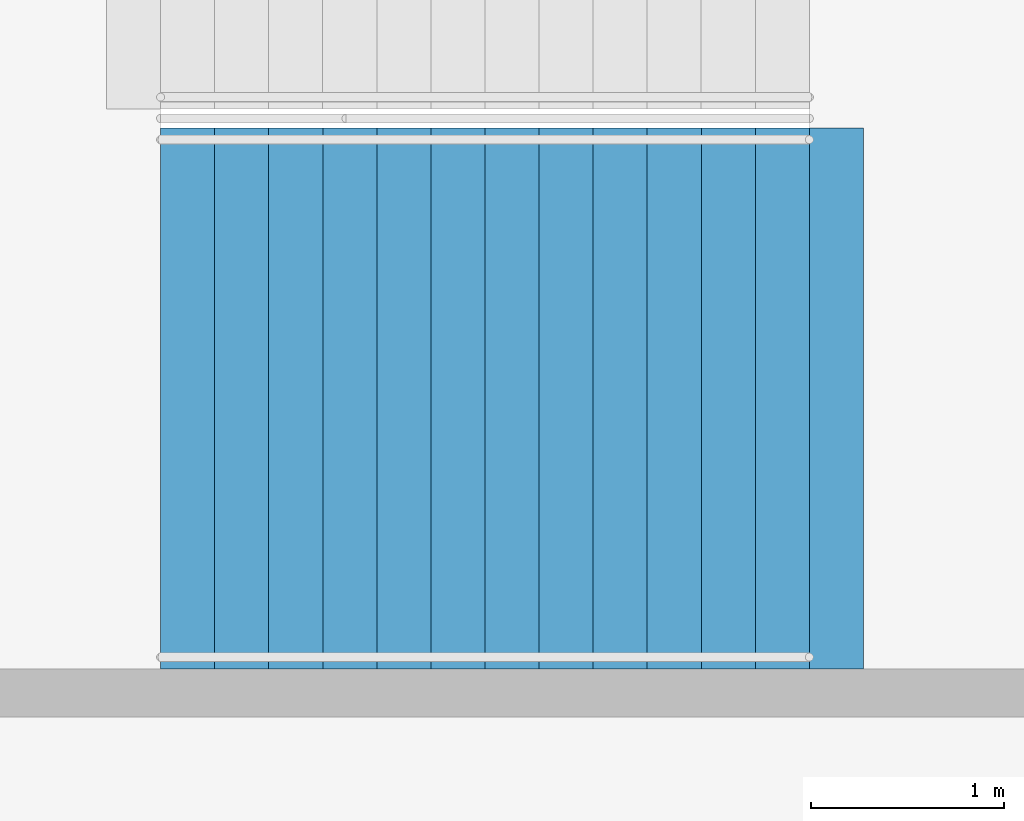
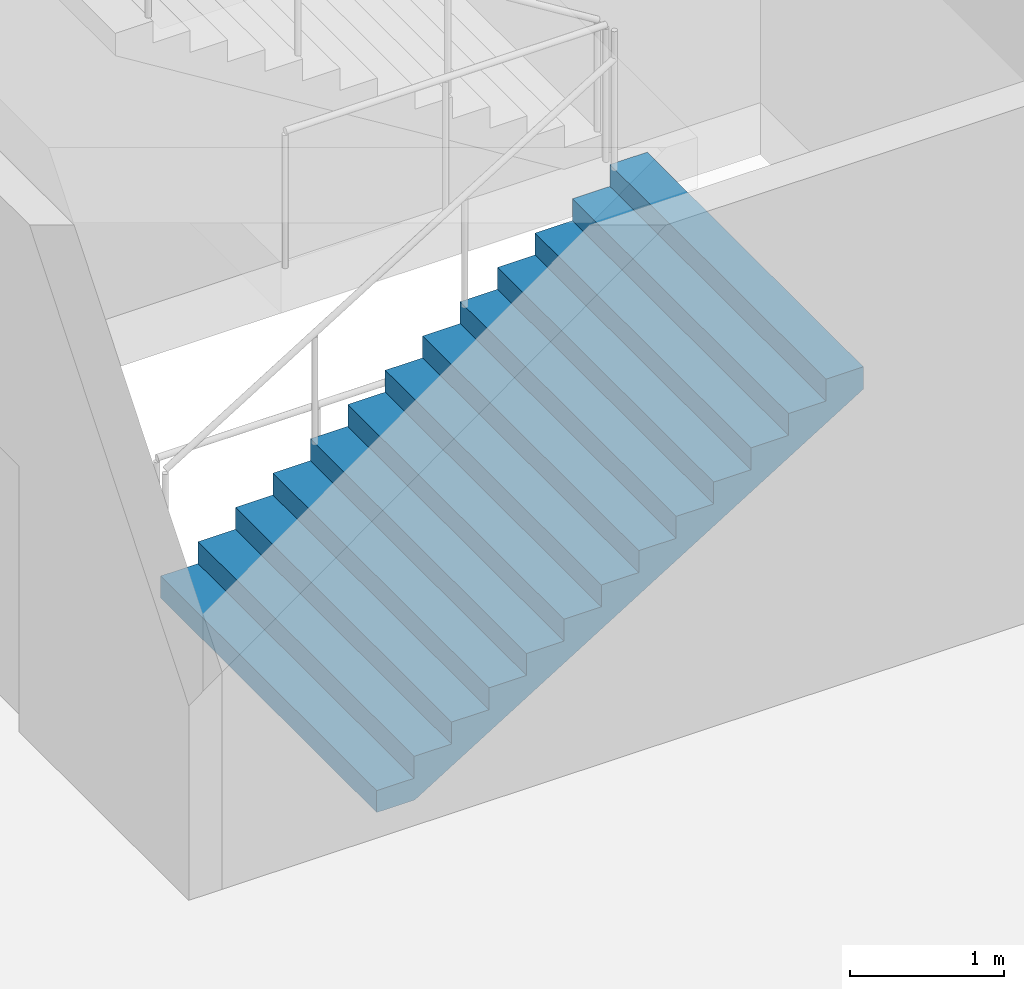
# One storey, part 146 of 199: 1 stair flight, 1 element without a shape of its own.
"""IFC4 building model written with IfcOpenShell, lengths in metres."""

from ifc_helpers import new_model, si_unit, direction, frame, origin, place, context, subcontext, project, spatial, faceted_brep, material, type_object, element, aggregate, save


model = new_model("IFC4")

# Units and contexts
model_context = context("Model", 3, precision=1e-05, world=origin(), true_north=direction((0.0, 1.0)))
body_context = subcontext(model_context, "Body", "Model", "MODEL_VIEW")
ifc_project = project(units=[si_unit("LENGTHUNIT", "METRE"), si_unit("AREAUNIT", "SQUARE_METRE"), si_unit("VOLUMEUNIT", "CUBIC_METRE"), si_unit("PLANEANGLEUNIT", "RADIAN"), si_unit("MASSUNIT", "GRAM", prefix="KILO")], contexts=[model_context])

# Site, building, storey
site_placement = place(None, origin())
site = spatial("IfcSite", under=ifc_project, at=site_placement, CompositionType="ELEMENT")
building_placement = place(site_placement, origin())
building = spatial("IfcBuilding", under=site, at=building_placement, Name="Ogive Plaza Stadium", CompositionType="ELEMENT")
storey_placement = place(building_placement, frame((0.0, 0.0, 9.0)))
storey = spatial("IfcBuildingStorey", under=building, at=storey_placement, Name="L02", CompositionType="ELEMENT", Elevation=9.0)

# Stair, stair flight
ifc_material_1 = material(Name="Concrete C40/50", Category="concrete")
stair_type = type_object("IfcStairType", Name="Exit stair", PredefinedType="STRAIGHT_RUN_STAIR", material=ifc_material_1)
stair_placement = place(storey_placement, origin())
stair = element("IfcStair", 1, at=stair_placement, inside=storey, type_object=stair_type, Name="Exit stair ST04A L02 to L03", PredefinedType="STRAIGHT_RUN_STAIR")
ifc_material_2 = material(Name="Concrete C40/50", Category="concrete")
stair_flight_type = type_object("IfcStairFlightType", Name="Exit stair flight", PredefinedType="STRAIGHT", material=ifc_material_2)
stair_flight_placement = place(storey_placement, frame((76.35009765625, 3.074951171875, 0.0), z_axis=(0.0, 0.0, 1.0), x_axis=(1.0, 0.0, 0.0)))
stair_flight = element("IfcStairFlight", 2, at=stair_flight_placement, type_object=stair_flight_type, Name="ST04A flight 1", NumberOfRisers=13, NumberOfTreads=12, PredefinedType="STRAIGHT", RiserHeight=0.173076923, TreadLength=0.28, context=body_context, shape_type="Brep", body=[
    faceted_brep([(0.28515625, -1.39990234375, 0.0), (3.639892578125, -1.39990234375, 2.07373046875), (3.639892578125, -1.39990234375, 2.25), (3.360107421875, -1.39990234375, 2.25), (3.360107421875, -1.39990234375, 2.076904296875), (3.080078125, -1.39990234375, 2.076904296875), (3.080078125, -1.39990234375, 1.90380859375), (2.800048828125, -1.39990234375, 1.90380859375), (2.800048828125, -1.39990234375, 1.730712890625), (2.52001953125, -1.39990234375, 1.730712890625), (2.52001953125, -1.39990234375, 1.5576171875), (2.239990234375, -1.39990234375, 1.5576171875), (2.239990234375, -1.39990234375, 1.384521484375), (1.9599609375, -1.39990234375, 1.384521484375), (1.9599609375, -1.39990234375, 1.21142578125), (1.679931640625, -1.39990234375, 1.21142578125), (1.679931640625, -1.39990234375, 1.03857421875), (1.39990234375, -1.39990234375, 1.03857421875), (1.39990234375, -1.39990234375, 0.865478515625), (1.1201171875, -1.39990234375, 0.865478515625), (1.1201171875, -1.39990234375, 0.6923828125), (0.840087890625, -1.39990234375, 0.6923828125), (0.840087890625, -1.39990234375, 0.519287109375), (0.56005859375, -1.39990234375, 0.519287109375), (0.56005859375, -1.39990234375, 0.34619140625), (0.280029296875, -1.39990234375, 0.34619140625), (0.280029296875, -1.39990234375, 0.173095703125), (0.0, -1.39990234375, 0.173095703125), (0.0, -1.39990234375, 0.0), (0.0, 1.39990234375, 0.0), (0.0, 1.39990234375, 0.173095703125), (0.280029296875, 1.39990234375, 0.173095703125), (0.280029296875, 1.39990234375, 0.34619140625), (0.56005859375, 1.39990234375, 0.34619140625), (0.56005859375, 1.39990234375, 0.519287109375), (0.840087890625, 1.39990234375, 0.519287109375), (0.840087890625, 1.39990234375, 0.6923828125), (1.1201171875, 1.39990234375, 0.6923828125), (1.1201171875, 1.39990234375, 0.865478515625), (1.39990234375, 1.39990234375, 0.865478515625), (1.39990234375, 1.39990234375, 1.03857421875), (1.679931640625, 1.39990234375, 1.03857421875), (1.679931640625, 1.39990234375, 1.21142578125), (1.9599609375, 1.39990234375, 1.21142578125), (1.9599609375, 1.39990234375, 1.384521484375), (2.239990234375, 1.39990234375, 1.384521484375), (2.239990234375, 1.39990234375, 1.5576171875), (2.52001953125, 1.39990234375, 1.5576171875), (2.52001953125, 1.39990234375, 1.730712890625), (2.800048828125, 1.39990234375, 1.730712890625), (2.800048828125, 1.39990234375, 1.90380859375), (3.080078125, 1.39990234375, 1.90380859375), (3.080078125, 1.39990234375, 2.076904296875), (3.360107421875, 1.39990234375, 2.076904296875), (3.360107421875, 1.39990234375, 2.25), (3.639892578125, 1.39990234375, 2.25), (3.639892578125, 1.39990234375, 2.07373046875), (0.28515625, 1.39990234375, 0.0), (0.28515625, -1.0888671875, 0.0), (3.639892578125, -1.0888671875, 2.07373046875), (0.28515625, -0.77783203125, 0.0), (3.639892578125, -0.77783203125, 2.07373046875), (0.28515625, -0.466796875, 0.0), (3.639892578125, -0.466796875, 2.07373046875), (0.28515625, -0.155517578125, 0.0), (3.639892578125, -0.155517578125, 2.07373046875), (0.28515625, 0.155517578125, 0.0), (3.639892578125, 0.155517578125, 2.07373046875), (0.28515625, 0.466796875, 0.0), (3.639892578125, 0.466796875, 2.07373046875), (0.28515625, 0.77783203125, 0.0), (3.639892578125, 0.77783203125, 2.07373046875), (0.28515625, 1.0888671875, 0.0), (3.639892578125, 1.0888671875, 2.07373046875), (3.639892578125, -1.0888671875, 2.25), (3.639892578125, -0.77783203125, 2.25), (3.639892578125, -0.466796875, 2.25), (3.639892578125, -0.155517578125, 2.25), (3.639892578125, 0.155517578125, 2.25), (3.639892578125, 0.466796875, 2.25), (3.639892578125, 0.77783203125, 2.25), (3.639892578125, 1.0888671875, 2.25), (3.360107421875, -1.0888671875, 2.25), (3.360107421875, -0.77783203125, 2.25), (3.360107421875, -0.466796875, 2.25), (3.360107421875, -0.155517578125, 2.25), (3.360107421875, 0.155517578125, 2.25), (3.360107421875, 0.466796875, 2.25), (3.360107421875, 0.77783203125, 2.25), (3.360107421875, 1.0888671875, 2.25), (3.360107421875, -1.0888671875, 2.076904296875), (3.360107421875, -0.77783203125, 2.076904296875), (3.360107421875, -0.466796875, 2.076904296875), (3.360107421875, -0.155517578125, 2.076904296875), (3.360107421875, 0.155517578125, 2.076904296875), (3.360107421875, 0.466796875, 2.076904296875), (3.360107421875, 0.77783203125, 2.076904296875), (3.360107421875, 1.0888671875, 2.076904296875), (3.080078125, -1.0888671875, 2.076904296875), (3.080078125, -0.77783203125, 2.076904296875), (3.080078125, -0.466796875, 2.076904296875), (3.080078125, -0.155517578125, 2.076904296875), (3.080078125, 0.155517578125, 2.076904296875), (3.080078125, 0.466796875, 2.076904296875), (3.080078125, 0.77783203125, 2.076904296875), (3.080078125, 1.0888671875, 2.076904296875), (3.080078125, -1.0888671875, 1.90380859375), (3.080078125, -0.77783203125, 1.90380859375), (3.080078125, -0.466796875, 1.90380859375), (3.080078125, -0.155517578125, 1.90380859375), (3.080078125, 0.155517578125, 1.90380859375), (3.080078125, 0.466796875, 1.90380859375), (3.080078125, 0.77783203125, 1.90380859375), (3.080078125, 1.0888671875, 1.90380859375), (2.800048828125, -1.0888671875, 1.90380859375), (2.800048828125, -0.77783203125, 1.90380859375), (2.800048828125, -0.466796875, 1.90380859375), (2.800048828125, -0.155517578125, 1.90380859375), (2.800048828125, 0.155517578125, 1.90380859375), (2.800048828125, 0.466796875, 1.90380859375), (2.800048828125, 0.77783203125, 1.90380859375), (2.800048828125, 1.0888671875, 1.90380859375), (2.800048828125, -1.0888671875, 1.730712890625), (2.800048828125, -0.77783203125, 1.730712890625), (2.800048828125, -0.466796875, 1.730712890625), (2.800048828125, -0.155517578125, 1.730712890625), (2.800048828125, 0.155517578125, 1.730712890625), (2.800048828125, 0.466796875, 1.730712890625), (2.800048828125, 0.77783203125, 1.730712890625), (2.800048828125, 1.0888671875, 1.730712890625), (2.52001953125, -1.0888671875, 1.730712890625), (2.52001953125, -0.77783203125, 1.730712890625), (2.52001953125, -0.466796875, 1.730712890625), (2.52001953125, -0.155517578125, 1.730712890625), (2.52001953125, 0.155517578125, 1.730712890625), (2.52001953125, 0.466796875, 1.730712890625), (2.52001953125, 0.77783203125, 1.730712890625), (2.52001953125, 1.0888671875, 1.730712890625), (2.52001953125, -1.0888671875, 1.5576171875), (2.52001953125, -0.77783203125, 1.5576171875), (2.52001953125, -0.466796875, 1.5576171875), (2.52001953125, -0.155517578125, 1.5576171875), (2.52001953125, 0.155517578125, 1.5576171875), (2.52001953125, 0.466796875, 1.5576171875), (2.52001953125, 0.77783203125, 1.5576171875), (2.52001953125, 1.0888671875, 1.5576171875), (2.239990234375, -1.0888671875, 1.5576171875), (2.239990234375, -0.77783203125, 1.5576171875), (2.239990234375, -0.466796875, 1.5576171875), (2.239990234375, -0.155517578125, 1.5576171875), (2.239990234375, 0.155517578125, 1.5576171875), (2.239990234375, 0.466796875, 1.5576171875), (2.239990234375, 0.77783203125, 1.5576171875), (2.239990234375, 1.0888671875, 1.5576171875), (2.239990234375, -1.0888671875, 1.384521484375), (2.239990234375, -0.77783203125, 1.384521484375), (2.239990234375, -0.466796875, 1.384521484375), (2.239990234375, -0.155517578125, 1.384521484375), (2.239990234375, 0.155517578125, 1.384521484375), (2.239990234375, 0.466796875, 1.384521484375), (2.239990234375, 0.77783203125, 1.384521484375), (2.239990234375, 1.0888671875, 1.384521484375), (1.9599609375, -1.0888671875, 1.384521484375), (1.9599609375, -0.77783203125, 1.384521484375), (1.9599609375, -0.466796875, 1.384521484375), (1.9599609375, -0.155517578125, 1.384521484375), (1.9599609375, 0.155517578125, 1.384521484375), (1.9599609375, 0.466796875, 1.384521484375), (1.9599609375, 0.77783203125, 1.384521484375), (1.9599609375, 1.0888671875, 1.384521484375), (1.9599609375, -1.0888671875, 1.21142578125), (1.9599609375, -0.77783203125, 1.21142578125), (1.9599609375, -0.466796875, 1.21142578125), (1.9599609375, -0.155517578125, 1.21142578125), (1.9599609375, 0.155517578125, 1.21142578125), (1.9599609375, 0.466796875, 1.21142578125), (1.9599609375, 0.77783203125, 1.21142578125), (1.9599609375, 1.0888671875, 1.21142578125), (1.679931640625, -1.0888671875, 1.21142578125), (1.679931640625, -0.77783203125, 1.21142578125), (1.679931640625, -0.466796875, 1.21142578125), (1.679931640625, -0.155517578125, 1.21142578125), (1.679931640625, 0.155517578125, 1.21142578125), (1.679931640625, 0.466796875, 1.21142578125), (1.679931640625, 0.77783203125, 1.21142578125), (1.679931640625, 1.0888671875, 1.21142578125), (1.679931640625, -1.0888671875, 1.03857421875), (1.679931640625, -0.77783203125, 1.03857421875), (1.679931640625, -0.466796875, 1.03857421875), (1.679931640625, -0.155517578125, 1.03857421875), (1.679931640625, 0.155517578125, 1.03857421875), (1.679931640625, 0.466796875, 1.03857421875), (1.679931640625, 0.77783203125, 1.03857421875), (1.679931640625, 1.0888671875, 1.03857421875), (1.39990234375, -1.0888671875, 1.03857421875), (1.39990234375, -0.77783203125, 1.03857421875), (1.39990234375, -0.466796875, 1.03857421875), (1.39990234375, -0.155517578125, 1.03857421875), (1.39990234375, 0.155517578125, 1.03857421875), (1.39990234375, 0.466796875, 1.03857421875), (1.39990234375, 0.77783203125, 1.03857421875), (1.39990234375, 1.0888671875, 1.03857421875), (1.39990234375, -1.0888671875, 0.865478515625), (1.39990234375, -0.77783203125, 0.865478515625), (1.39990234375, -0.466796875, 0.865478515625), (1.39990234375, -0.155517578125, 0.865478515625), (1.39990234375, 0.155517578125, 0.865478515625), (1.39990234375, 0.466796875, 0.865478515625), (1.39990234375, 0.77783203125, 0.865478515625), (1.39990234375, 1.0888671875, 0.865478515625), (1.1201171875, -1.0888671875, 0.865478515625), (1.1201171875, -0.77783203125, 0.865478515625), (1.1201171875, -0.466796875, 0.865478515625), (1.1201171875, -0.155517578125, 0.865478515625), (1.1201171875, 0.155517578125, 0.865478515625), (1.1201171875, 0.466796875, 0.865478515625), (1.1201171875, 0.77783203125, 0.865478515625), (1.1201171875, 1.0888671875, 0.865478515625), (1.1201171875, -1.0888671875, 0.6923828125), (1.1201171875, -0.77783203125, 0.6923828125), (1.1201171875, -0.466796875, 0.6923828125), (1.1201171875, -0.155517578125, 0.6923828125), (1.1201171875, 0.155517578125, 0.6923828125), (1.1201171875, 0.466796875, 0.6923828125), (1.1201171875, 0.77783203125, 0.6923828125), (1.1201171875, 1.0888671875, 0.6923828125), (0.840087890625, -1.0888671875, 0.6923828125), (0.840087890625, -0.77783203125, 0.6923828125), (0.840087890625, -0.466796875, 0.6923828125), (0.840087890625, -0.155517578125, 0.6923828125), (0.840087890625, 0.155517578125, 0.6923828125), (0.840087890625, 0.466796875, 0.6923828125), (0.840087890625, 0.77783203125, 0.6923828125), (0.840087890625, 1.0888671875, 0.6923828125), (0.840087890625, -1.0888671875, 0.519287109375), (0.840087890625, -0.77783203125, 0.519287109375), (0.840087890625, -0.466796875, 0.519287109375), (0.840087890625, -0.155517578125, 0.519287109375), (0.840087890625, 0.155517578125, 0.519287109375), (0.840087890625, 0.466796875, 0.519287109375), (0.840087890625, 0.77783203125, 0.519287109375), (0.840087890625, 1.0888671875, 0.519287109375), (0.56005859375, -1.0888671875, 0.519287109375), (0.56005859375, -0.77783203125, 0.519287109375), (0.56005859375, -0.466796875, 0.519287109375), (0.56005859375, -0.155517578125, 0.519287109375), (0.56005859375, 0.155517578125, 0.519287109375), (0.56005859375, 0.466796875, 0.519287109375), (0.56005859375, 0.77783203125, 0.519287109375), (0.56005859375, 1.0888671875, 0.519287109375), (0.56005859375, -1.0888671875, 0.34619140625), (0.56005859375, -0.77783203125, 0.34619140625), (0.56005859375, -0.466796875, 0.34619140625), (0.56005859375, -0.155517578125, 0.34619140625), (0.56005859375, 0.155517578125, 0.34619140625), (0.56005859375, 0.466796875, 0.34619140625), (0.56005859375, 0.77783203125, 0.34619140625), (0.56005859375, 1.0888671875, 0.34619140625), (0.280029296875, -1.0888671875, 0.34619140625), (0.280029296875, -0.77783203125, 0.34619140625), (0.280029296875, -0.466796875, 0.34619140625), (0.280029296875, -0.155517578125, 0.34619140625), (0.280029296875, 0.155517578125, 0.34619140625), (0.280029296875, 0.466796875, 0.34619140625), (0.280029296875, 0.77783203125, 0.34619140625), (0.280029296875, 1.0888671875, 0.34619140625), (0.280029296875, -1.0888671875, 0.173095703125), (0.280029296875, -0.77783203125, 0.173095703125), (0.280029296875, -0.466796875, 0.173095703125), (0.280029296875, -0.155517578125, 0.173095703125), (0.280029296875, 0.155517578125, 0.173095703125), (0.280029296875, 0.466796875, 0.173095703125), (0.280029296875, 0.77783203125, 0.173095703125), (0.280029296875, 1.0888671875, 0.173095703125), (0.0, -1.0888671875, 0.173095703125), (0.0, -0.77783203125, 0.173095703125), (0.0, -0.466796875, 0.173095703125), (0.0, -0.155517578125, 0.173095703125), (0.0, 0.155517578125, 0.173095703125), (0.0, 0.466796875, 0.173095703125), (0.0, 0.77783203125, 0.173095703125), (0.0, 1.0888671875, 0.173095703125), (0.0, -1.0888671875, 0.0), (0.0, -0.77783203125, 0.0), (0.0, -0.466796875, 0.0), (0.0, -0.155517578125, 0.0), (0.0, 0.155517578125, 0.0), (0.0, 0.466796875, 0.0), (0.0, 0.77783203125, 0.0), (0.0, 1.0888671875, 0.0)], [[[0, 1, 2, 3, 4, 5, 6, 7, 8, 9, 10, 11, 12, 13, 14, 15, 16, 17, 18, 19, 20, 21, 22, 23, 24, 25, 26, 27, 28]], [[29, 30, 31, 32, 33, 34, 35, 36, 37, 38, 39, 40, 41, 42, 43, 44, 45, 46, 47, 48, 49, 50, 51, 52, 53, 54, 55, 56, 57]], [[0, 58, 59, 1]], [[58, 60, 61, 59]], [[60, 62, 63, 61]], [[62, 64, 65, 63]], [[64, 66, 67, 65]], [[66, 68, 69, 67]], [[68, 70, 71, 69]], [[70, 72, 73, 71]], [[72, 57, 56, 73]], [[1, 59, 74, 2]], [[59, 61, 75, 74]], [[61, 63, 76, 75]], [[63, 65, 77, 76]], [[65, 67, 78, 77]], [[67, 69, 79, 78]], [[69, 71, 80, 79]], [[71, 73, 81, 80]], [[73, 56, 55, 81]], [[2, 74, 82, 3]], [[74, 75, 83, 82]], [[75, 76, 84, 83]], [[76, 77, 85, 84]], [[77, 78, 86, 85]], [[78, 79, 87, 86]], [[79, 80, 88, 87]], [[80, 81, 89, 88]], [[81, 55, 54, 89]], [[3, 82, 90, 4]], [[82, 83, 91, 90]], [[83, 84, 92, 91]], [[84, 85, 93, 92]], [[85, 86, 94, 93]], [[86, 87, 95, 94]], [[87, 88, 96, 95]], [[88, 89, 97, 96]], [[89, 54, 53, 97]], [[4, 90, 98, 5]], [[90, 91, 99, 98]], [[91, 92, 100, 99]], [[92, 93, 101, 100]], [[93, 94, 102, 101]], [[94, 95, 103, 102]], [[95, 96, 104, 103]], [[96, 97, 105, 104]], [[97, 53, 52, 105]], [[5, 98, 106, 6]], [[98, 99, 107, 106]], [[99, 100, 108, 107]], [[100, 101, 109, 108]], [[101, 102, 110, 109]], [[102, 103, 111, 110]], [[103, 104, 112, 111]], [[104, 105, 113, 112]], [[105, 52, 51, 113]], [[6, 106, 114, 7]], [[106, 107, 115, 114]], [[107, 108, 116, 115]], [[108, 109, 117, 116]], [[109, 110, 118, 117]], [[110, 111, 119, 118]], [[111, 112, 120, 119]], [[112, 113, 121, 120]], [[113, 51, 50, 121]], [[7, 114, 122, 8]], [[114, 115, 123, 122]], [[115, 116, 124, 123]], [[116, 117, 125, 124]], [[117, 118, 126, 125]], [[118, 119, 127, 126]], [[119, 120, 128, 127]], [[120, 121, 129, 128]], [[121, 50, 49, 129]], [[8, 122, 130, 9]], [[122, 123, 131, 130]], [[123, 124, 132, 131]], [[124, 125, 133, 132]], [[125, 126, 134, 133]], [[126, 127, 135, 134]], [[127, 128, 136, 135]], [[128, 129, 137, 136]], [[129, 49, 48, 137]], [[9, 130, 138, 10]], [[130, 131, 139, 138]], [[131, 132, 140, 139]], [[132, 133, 141, 140]], [[133, 134, 142, 141]], [[134, 135, 143, 142]], [[135, 136, 144, 143]], [[136, 137, 145, 144]], [[137, 48, 47, 145]], [[10, 138, 146, 11]], [[138, 139, 147, 146]], [[139, 140, 148, 147]], [[140, 141, 149, 148]], [[141, 142, 150, 149]], [[142, 143, 151, 150]], [[143, 144, 152, 151]], [[144, 145, 153, 152]], [[145, 47, 46, 153]], [[11, 146, 154, 12]], [[146, 147, 155, 154]], [[147, 148, 156, 155]], [[148, 149, 157, 156]], [[149, 150, 158, 157]], [[150, 151, 159, 158]], [[151, 152, 160, 159]], [[152, 153, 161, 160]], [[153, 46, 45, 161]], [[12, 154, 162, 13]], [[154, 155, 163, 162]], [[155, 156, 164, 163]], [[156, 157, 165, 164]], [[157, 158, 166, 165]], [[158, 159, 167, 166]], [[159, 160, 168, 167]], [[160, 161, 169, 168]], [[161, 45, 44, 169]], [[13, 162, 170, 14]], [[162, 163, 171, 170]], [[163, 164, 172, 171]], [[164, 165, 173, 172]], [[165, 166, 174, 173]], [[166, 167, 175, 174]], [[167, 168, 176, 175]], [[168, 169, 177, 176]], [[169, 44, 43, 177]], [[14, 170, 178, 15]], [[170, 171, 179, 178]], [[171, 172, 180, 179]], [[172, 173, 181, 180]], [[173, 174, 182, 181]], [[174, 175, 183, 182]], [[175, 176, 184, 183]], [[176, 177, 185, 184]], [[177, 43, 42, 185]], [[15, 178, 186, 16]], [[178, 179, 187, 186]], [[179, 180, 188, 187]], [[180, 181, 189, 188]], [[181, 182, 190, 189]], [[182, 183, 191, 190]], [[183, 184, 192, 191]], [[184, 185, 193, 192]], [[185, 42, 41, 193]], [[16, 186, 194, 17]], [[186, 187, 195, 194]], [[187, 188, 196, 195]], [[188, 189, 197, 196]], [[189, 190, 198, 197]], [[190, 191, 199, 198]], [[191, 192, 200, 199]], [[192, 193, 201, 200]], [[193, 41, 40, 201]], [[17, 194, 202, 18]], [[194, 195, 203, 202]], [[195, 196, 204, 203]], [[196, 197, 205, 204]], [[197, 198, 206, 205]], [[198, 199, 207, 206]], [[199, 200, 208, 207]], [[200, 201, 209, 208]], [[201, 40, 39, 209]], [[18, 202, 210, 19]], [[202, 203, 211, 210]], [[203, 204, 212, 211]], [[204, 205, 213, 212]], [[205, 206, 214, 213]], [[206, 207, 215, 214]], [[207, 208, 216, 215]], [[208, 209, 217, 216]], [[209, 39, 38, 217]], [[19, 210, 218, 20]], [[210, 211, 219, 218]], [[211, 212, 220, 219]], [[212, 213, 221, 220]], [[213, 214, 222, 221]], [[214, 215, 223, 222]], [[215, 216, 224, 223]], [[216, 217, 225, 224]], [[217, 38, 37, 225]], [[20, 218, 226, 21]], [[218, 219, 227, 226]], [[219, 220, 228, 227]], [[220, 221, 229, 228]], [[221, 222, 230, 229]], [[222, 223, 231, 230]], [[223, 224, 232, 231]], [[224, 225, 233, 232]], [[225, 37, 36, 233]], [[21, 226, 234, 22]], [[226, 227, 235, 234]], [[227, 228, 236, 235]], [[228, 229, 237, 236]], [[229, 230, 238, 237]], [[230, 231, 239, 238]], [[231, 232, 240, 239]], [[232, 233, 241, 240]], [[233, 36, 35, 241]], [[22, 234, 242, 23]], [[234, 235, 243, 242]], [[235, 236, 244, 243]], [[236, 237, 245, 244]], [[237, 238, 246, 245]], [[238, 239, 247, 246]], [[239, 240, 248, 247]], [[240, 241, 249, 248]], [[241, 35, 34, 249]], [[23, 242, 250, 24]], [[242, 243, 251, 250]], [[243, 244, 252, 251]], [[244, 245, 253, 252]], [[245, 246, 254, 253]], [[246, 247, 255, 254]], [[247, 248, 256, 255]], [[248, 249, 257, 256]], [[249, 34, 33, 257]], [[24, 250, 258, 25]], [[250, 251, 259, 258]], [[251, 252, 260, 259]], [[252, 253, 261, 260]], [[253, 254, 262, 261]], [[254, 255, 263, 262]], [[255, 256, 264, 263]], [[256, 257, 265, 264]], [[257, 33, 32, 265]], [[25, 258, 266, 26]], [[258, 259, 267, 266]], [[259, 260, 268, 267]], [[260, 261, 269, 268]], [[261, 262, 270, 269]], [[262, 263, 271, 270]], [[263, 264, 272, 271]], [[264, 265, 273, 272]], [[265, 32, 31, 273]], [[26, 266, 274, 27]], [[266, 267, 275, 274]], [[267, 268, 276, 275]], [[268, 269, 277, 276]], [[269, 270, 278, 277]], [[270, 271, 279, 278]], [[271, 272, 280, 279]], [[272, 273, 281, 280]], [[273, 31, 30, 281]], [[27, 274, 282, 28]], [[274, 275, 283, 282]], [[275, 276, 284, 283]], [[276, 277, 285, 284]], [[277, 278, 286, 285]], [[278, 279, 287, 286]], [[279, 280, 288, 287]], [[280, 281, 289, 288]], [[281, 30, 29, 289]], [[28, 282, 58, 0]], [[282, 283, 60, 58]], [[283, 284, 62, 60]], [[284, 285, 64, 62]], [[285, 286, 66, 64]], [[286, 287, 68, 66]], [[287, 288, 70, 68]], [[288, 289, 72, 70]], [[289, 29, 57, 72]]]),
])
aggregate(stair, [stair_flight])

save(model, "model.ifc")
